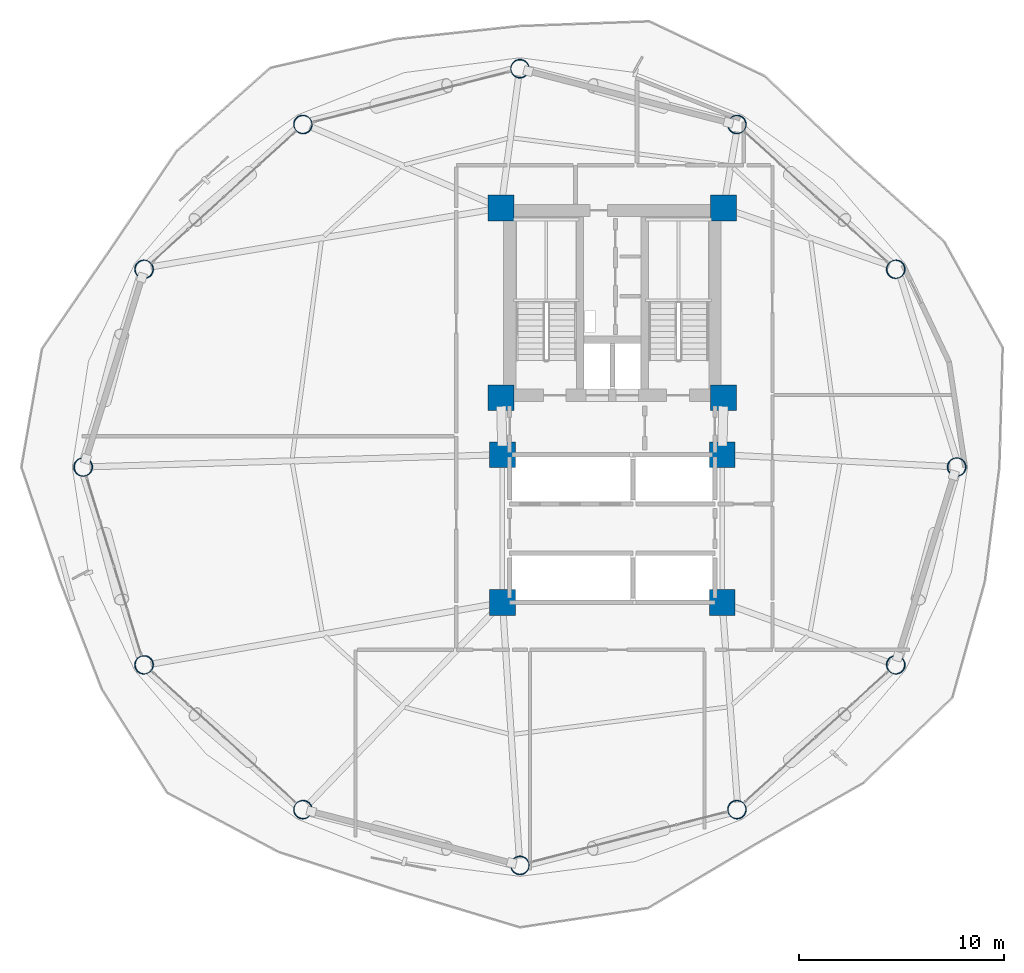
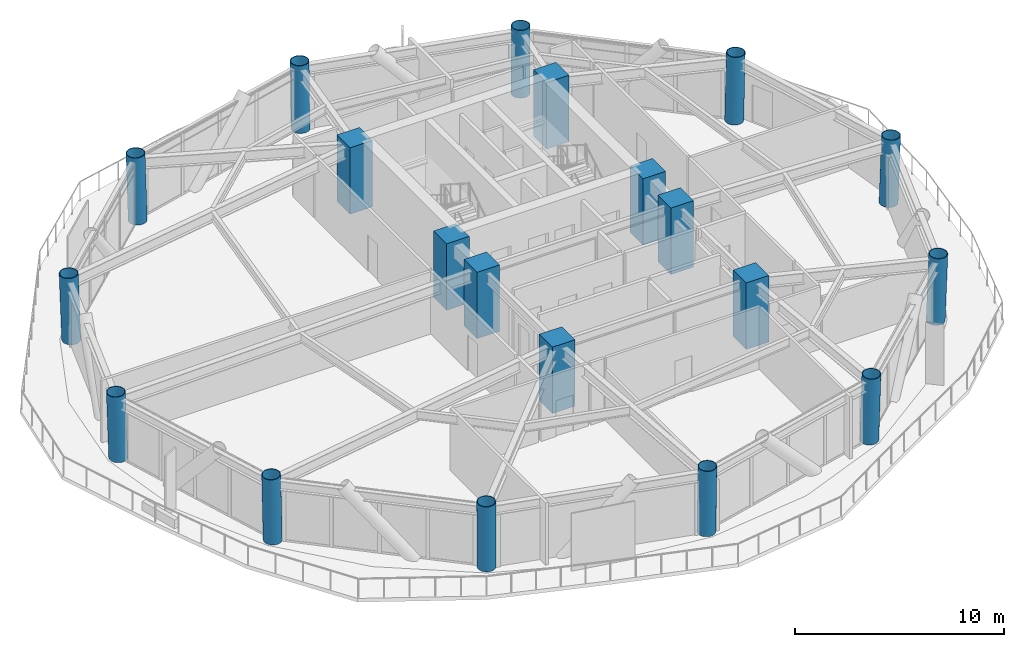
# One storey, part 1 of 25: 20 columns.
"""IFC4 building model written with IfcOpenShell, lengths in metres."""

from ifc_helpers import new_model, si_unit, direction, frame, origin, origin_2d, place, context, subcontext, project, spatial, rectangle, hollow_circle, extrude, material, material_profile, profile_set, type_object, element, save


model = new_model("IFC4")

# Units and contexts
model_context = context("Model", 3, precision=1e-05, world=origin(), true_north=direction((0.0, 1.0)))
body_context = subcontext(model_context, "Body", "Model", "MODEL_VIEW")
ifc_project = project(units=[si_unit("LENGTHUNIT", "METRE"), si_unit("AREAUNIT", "SQUARE_METRE"), si_unit("VOLUMEUNIT", "CUBIC_METRE"), si_unit("PLANEANGLEUNIT", "RADIAN"), si_unit("MASSUNIT", "GRAM", prefix="KILO")], contexts=[model_context])

# Site, building, storey
site_placement = place(None, origin())
site = spatial("IfcSite", under=ifc_project, at=site_placement, CompositionType="ELEMENT")
building_placement = place(site_placement, origin())
building = spatial("IfcBuilding", under=site, at=building_placement, Name="Varnakorn Sky Granary", CompositionType="ELEMENT")
storey_placement = place(building_placement, frame((0.0, 0.0, 54.89990234375)))
storey = spatial("IfcBuildingStorey", under=building, at=storey_placement, Name="L13", CompositionType="ELEMENT", Elevation=54.89990234375)

# Columns
ifc_material_1 = material(Name="Steel S460M", Category="steel")
ifc_material_profile_1 = material_profile(ifc_material_1, hollow_circle(Radius=0.45703125, WallThickness=0.031982421875, at=origin_2d()), Name="CHS 914x32")
ifc_profile_set_1 = profile_set([ifc_material_profile_1], Name="Steel S460M")
column_type_1 = type_object("IfcColumnType", Name="COL-DC-Z1", PredefinedType="COLUMN", material=ifc_profile_set_1)
for number, where, z_axis, x_axis, name in (
    (1, (19.75390625, 0.0, 0.0), (0.034568540753, 0.0, 0.99940232939), (0.0, 1.0, 0.0), "Drum Perimeter Column DC01 L13"),
    (2, (16.78955078125, 9.6259765625, 0.0), (0.029910882201, 0.013286728725, 0.999464257473), (-0.405959944623, 0.913890870597, 0.0), "Drum Perimeter Column DC02 L13"),
):
    element("IfcColumn", number, at=place(storey_placement, frame(where, z_axis=z_axis, x_axis=x_axis)), inside=storey, type_object=column_type_1, Name=name, PredefinedType="COLUMN", context=body_context, shape_type="SweptSolid", body=[
        extrude(hollow_circle(Radius=0.45703125, WallThickness=0.031982421875, at=origin_2d()), origin(), (0.0, 0.0, 1.0), 3.877197265625),
    ])
column_1_placement = place(storey_placement, frame((9.0595703125, 16.672607421875, 0.0), z_axis=(0.017255947226, 0.023049914907, 0.9995853809), x_axis=(-0.800524628009, 0.599299858127, 0.0)))
element("IfcColumn", 3, at=column_1_placement, inside=storey, type_object=column_type_1, Name="Drum Perimeter Column DC03 L13", PredefinedType="COLUMN", context=body_context, shape_type="SweptSolid", body=[
    extrude(hollow_circle(Radius=0.45703125, WallThickness=0.031982421875, at=origin_2d()), origin(), (0.0, 0.0, 1.0), 3.876708984375),
])
column_2_placement = place(storey_placement, frame((-1.5, 19.386962890625, 0.0), z_axis=(0.0, 0.026578309091, 0.999646734345), x_axis=(-1.0, 0.0, 0.0)))
element("IfcColumn", 4, at=column_2_placement, inside=storey, type_object=column_type_1, Name="Drum Perimeter Column DC04 L13", PredefinedType="COLUMN", context=body_context, shape_type="SweptSolid", body=[
    extrude(hollow_circle(Radius=0.45703125, WallThickness=0.031982421875, at=origin_2d()), origin(), (0.0, 0.0, 1.0), 3.87646484375),
])
column_3_placement = place(storey_placement, frame((-12.0595703125, 16.672607421875, 0.0), z_axis=(-0.017255947226, 0.023049914907, 0.9995853809), x_axis=(-0.800524628009, -0.599299858127, 0.0)))
element("IfcColumn", 5, at=column_3_placement, inside=storey, type_object=column_type_1, Name="Drum Perimeter Column DC05 L13", PredefinedType="COLUMN", context=body_context, shape_type="SweptSolid", body=[
    extrude(hollow_circle(Radius=0.45703125, WallThickness=0.031982421875, at=origin_2d()), origin(), (0.0, 0.0, 1.0), 3.876708984375),
])
for number, where, z_axis, x_axis, name in (
    (6, (-19.78955078125, 9.6259765625, 0.0), (-0.029910882201, 0.013286728725, 0.999464257473), (-0.405959944623, -0.913890870597, 0.0), "Drum Perimeter Column DC06 L13"),
    (7, (-22.75390625, 0.0, 0.0), (-0.034568540753, 0.0, 0.99940232939), (0.0, -1.0, 0.0), "Drum Perimeter Column DC07 L13"),
    (8, (-19.78955078125, -9.6259765625, 0.0), (-0.029910882201, -0.013286728725, 0.999464257473), (0.405959944623, -0.913890870597, 0.0), "Drum Perimeter Column DC08 L13"),
):
    element("IfcColumn", number, at=place(storey_placement, frame(where, z_axis=z_axis, x_axis=x_axis)), inside=storey, type_object=column_type_1, Name=name, PredefinedType="COLUMN", context=body_context, shape_type="SweptSolid", body=[
        extrude(hollow_circle(Radius=0.45703125, WallThickness=0.031982421875, at=origin_2d()), origin(), (0.0, 0.0, 1.0), 3.877197265625),
    ])
column_4_placement = place(storey_placement, frame((-12.0595703125, -16.672607421875, 0.0), z_axis=(-0.017255947226, -0.023049914907, 0.9995853809), x_axis=(0.800524628009, -0.599299858127, 0.0)))
element("IfcColumn", 9, at=column_4_placement, inside=storey, type_object=column_type_1, Name="Drum Perimeter Column DC09 L13", PredefinedType="COLUMN", context=body_context, shape_type="SweptSolid", body=[
    extrude(hollow_circle(Radius=0.45703125, WallThickness=0.031982421875, at=origin_2d()), origin(), (0.0, 0.0, 1.0), 3.876708984375),
])
column_5_placement = place(storey_placement, frame((-1.5, -19.386962890625, 0.0), z_axis=(0.0, -0.026578309091, 0.999646734345), x_axis=(1.0, 0.0, 0.0)))
element("IfcColumn", 10, at=column_5_placement, inside=storey, type_object=column_type_1, Name="Drum Perimeter Column DC10 L13", PredefinedType="COLUMN", context=body_context, shape_type="SweptSolid", body=[
    extrude(hollow_circle(Radius=0.45703125, WallThickness=0.031982421875, at=origin_2d()), origin(), (0.0, 0.0, 1.0), 3.87646484375),
])
column_6_placement = place(storey_placement, frame((9.0595703125, -16.672607421875, 0.0), z_axis=(0.017255947226, -0.023049914907, 0.9995853809), x_axis=(0.800524628009, 0.599299858127, 0.0)))
element("IfcColumn", 11, at=column_6_placement, inside=storey, type_object=column_type_1, Name="Drum Perimeter Column DC11 L13", PredefinedType="COLUMN", context=body_context, shape_type="SweptSolid", body=[
    extrude(hollow_circle(Radius=0.45703125, WallThickness=0.031982421875, at=origin_2d()), origin(), (0.0, 0.0, 1.0), 3.876708984375),
])
column_7_placement = place(storey_placement, frame((16.78955078125, -9.6259765625, 0.0), z_axis=(0.029910882201, -0.013286728725, 0.999464257473), x_axis=(0.405959944623, 0.913890870597, 0.0)))
element("IfcColumn", 12, at=column_7_placement, inside=storey, type_object=column_type_1, Name="Drum Perimeter Column DC12 L13", PredefinedType="COLUMN", context=body_context, shape_type="SweptSolid", body=[
    extrude(hollow_circle(Radius=0.45703125, WallThickness=0.031982421875, at=origin_2d()), origin(), (0.0, 0.0, 1.0), 3.877197265625),
])
ifc_material_2 = material(Name="Concrete C60/75", Category="concrete")
ifc_material_profile_2 = material_profile(ifc_material_2, rectangle(XDim=1.25, YDim=1.25, at=origin_2d()), Name="RC 1250x1250")
ifc_profile_set_2 = profile_set([ifc_material_profile_2], Name="Concrete C60/75")
column_type_2 = type_object("IfcColumnType", Name="COL-MC-Z1", PredefinedType="COLUMN", material=ifc_profile_set_2)
for number, where, z_axis, x_axis, name in (
    (13, (-2.419921875, 12.6201171875, 0.0), (0.0, 0.0, 1.0), (1.0, 0.0, 0.0), "Backbone Mega-Column MC1 L13"),
    (14, (8.419921875, 12.6201171875, 0.0), (0.0, 0.0, 1.0), (1.0, 0.0, 0.0), "Backbone Mega-Column MC2 L13"),
    (15, (-2.419921875, 3.3798828125, 0.0), (0.0, 0.0, 1.0), (1.0, 0.0, 0.0), "Backbone Mega-Column MC3 L13"),
    (16, (8.419921875, 3.3798828125, 0.0), (0.0, 0.0, 1.0), (1.0, 0.0, 0.0), "Backbone Mega-Column MC4 L13"),
    (17, (-2.35009765625, 0.60009765625, 0.0), (0.0, 0.0, 1.0), (1.0, 0.0, 0.0), "Backbone Mega-Column MC5 L13"),
    (18, (8.35009765625, 0.60009765625, 0.0), (0.0, 0.0, 1.0), (1.0, 0.0, 0.0), "Backbone Mega-Column MC6 L13"),
    (19, (-2.35009765625, -6.60009765625, 0.0), (0.0, 0.0, 1.0), (1.0, 0.0, 0.0), "Backbone Mega-Column MC7 L13"),
    (20, (8.35009765625, -6.60009765625, 0.0), (0.0, 0.0, 1.0), (1.0, 0.0, 0.0), "Backbone Mega-Column MC8 L13"),
):
    element("IfcColumn", number, at=place(storey_placement, frame(where, z_axis=z_axis, x_axis=x_axis)), inside=storey, type_object=column_type_2, Name=name, PredefinedType="COLUMN", context=body_context, shape_type="SweptSolid", body=[
        extrude(rectangle(XDim=1.25, YDim=1.25, at=origin_2d()), origin(), (0.0, 0.0, 1.0), 3.875),
    ])

save(model, "model.ifc")
